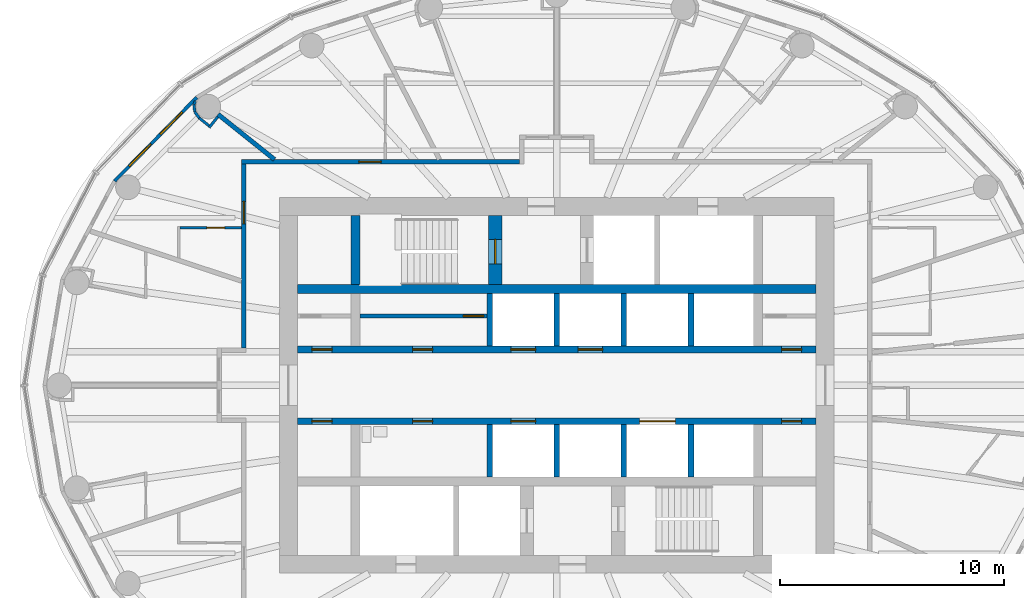
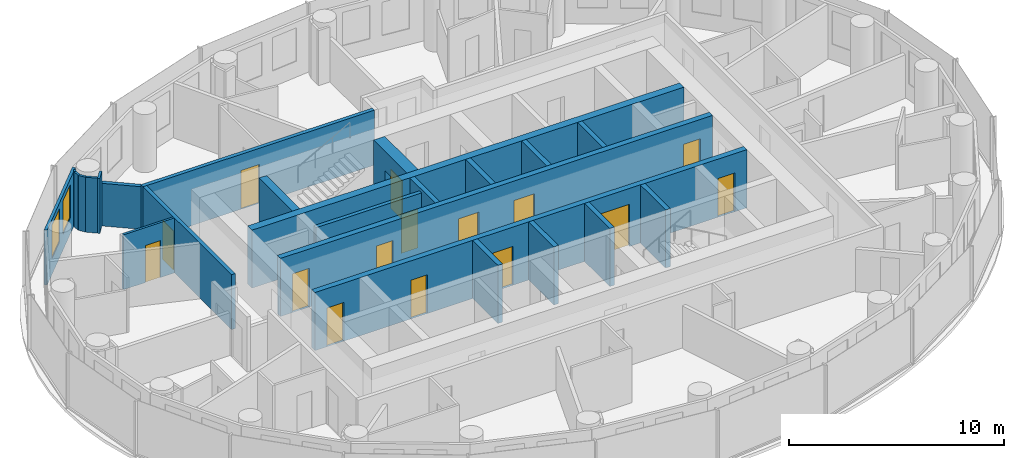
# One storey, part 9 of 16: 24 walls, 15 doors, 2 windows, 17 openings.
"""IFC4 building model written with IfcOpenShell, lengths in metres."""

from ifc_helpers import new_model, si_unit, direction, frame, frame_2d, origin, place, context, subcontext, project, spatial, rectangle, extrude, material, layer, layer_set, type_object, element, fill, save


model = new_model("IFC4")

# Units and contexts
model_context = context("Model", 3, precision=1e-05, world=origin(), true_north=direction((0.0, 1.0)))
body_context = subcontext(model_context, "Body", "Model", "MODEL_VIEW")
ifc_project = project(units=[si_unit("LENGTHUNIT", "METRE"), si_unit("AREAUNIT", "SQUARE_METRE"), si_unit("VOLUMEUNIT", "CUBIC_METRE"), si_unit("PLANEANGLEUNIT", "RADIAN"), si_unit("MASSUNIT", "GRAM", prefix="KILO")], contexts=[model_context])

# Site, building, storey
site_placement = place(None, origin())
site = spatial("IfcSite", under=ifc_project, at=site_placement, CompositionType="ELEMENT")
building_placement = place(site_placement, origin())
building = spatial("IfcBuilding", under=site, at=building_placement, Name="Hankou Lantern Tower", CompositionType="ELEMENT")
storey_placement = place(building_placement, frame((0.0, 0.0, 166.5)))
storey = spatial("IfcBuildingStorey", under=building, at=storey_placement, Name="L44", CompositionType="ELEMENT", Elevation=166.5)

# Walls
ifc_material_1 = material(Name="Concrete C60", Category="concrete")
ifc_layer_1 = layer(ifc_material_1, 0.39990234375)
ifc_layer_set_1 = layer_set([ifc_layer_1], Name="Concrete C60")
wall_type_1 = type_object("IfcWallType", Name="CW4 CORE CROSS WALL 400", PredefinedType="SHEAR", material=ifc_layer_set_1)
wall_1_placement = place(storey_placement, frame((-11.60009765625, 4.300048828125, 0.0), z_axis=(0.0, 0.0, 1.0), x_axis=(1.0, 0.0, 0.0)))
element("IfcWall", 1, at=wall_1_placement, inside=storey, type_object=wall_type_1, Name="Core band wall north L44", PredefinedType="SHEAR", context=body_context, shape_type="SweptSolid", body=[
    extrude(rectangle(XDim=23.2001953125, YDim=0.39990234375, at=frame_2d((11.60009765625, 0.0))), origin(), (0.0, 0.0, 1.0), 3.300048828125),
])
wall_2_placement = place(storey_placement, frame((-9.0, 4.5, 0.0), z_axis=(0.0, 0.0, 1.0), x_axis=(0.0, 1.0, 0.0)))
element("IfcWall", 2, at=wall_2_placement, inside=storey, type_object=wall_type_1, Name="Core strip wall L44", PredefinedType="SHEAR", context=body_context, shape_type="SweptSolid", body=[
    extrude(rectangle(XDim=3.10009765625, YDim=0.39990234375, at=frame_2d((1.550048828125, 0.0))), origin(), (0.0, 0.0, 1.0), 3.300048828125),
])

# Wall, openings, doors
ifc_material_2 = material(Name="Concrete C60", Category="concrete")
ifc_layer_2 = layer(ifc_material_2, 0.300048828125)
ifc_layer_set_2 = layer_set([ifc_layer_2], Name="Concrete C60")
wall_type_2 = type_object("IfcWallType", Name="CW5 LIFT LOBBY WALL 300", PredefinedType="SHEAR", material=ifc_layer_set_2)
wall_3_placement = place(storey_placement, frame((-11.60009765625, 1.60009765625, 0.0), z_axis=(0.0, 0.0, 1.0), x_axis=(1.0, 0.0, 0.0)))
wall_3 = element("IfcWall", 3, at=wall_3_placement, inside=storey, type_object=wall_type_2, Name="Lift lobby wall north L44", PredefinedType="SHEAR", context=body_context, shape_type="SweptSolid", body=[
    extrude(rectangle(XDim=23.2001953125, YDim=0.300048828125, at=frame_2d((11.60009765625, 0.0))), origin(), (0.0, 0.0, 1.0), 3.300048828125),
])
opening_1_placement = place(wall_3_placement, frame((9.550048828125, 0.0, 0.0)))
opening_1 = element("IfcOpeningElement", 4, at=opening_1_placement, cuts=wall_3, Name="Opening LD1", PredefinedType="OPENING", context=body_context, shape_type="SweptSolid", body=[
    extrude(rectangle(XDim=1.10009765625, YDim=2.199951171875, at=frame_2d((0.550048828125, 1.10009765625))), frame((0.0, 0.159912109375, 0.0), z_axis=(0.0, -1.0, 0.0), x_axis=(1.0, 0.0, 0.0)), (0.0, 0.0, 1.0), 0.320068359375),
])
opening_2_placement = place(wall_3_placement, frame((12.550048828125, 0.0, 0.0)))
opening_2 = element("IfcOpeningElement", 5, at=opening_2_placement, cuts=wall_3, Name="Opening LD1", PredefinedType="OPENING", context=body_context, shape_type="SweptSolid", body=[
    extrude(rectangle(XDim=1.10009765625, YDim=2.199951171875, at=frame_2d((0.550048828125, 1.10009765625))), frame((0.0, 0.159912109375, 0.0), z_axis=(0.0, -1.0, 0.0), x_axis=(1.0, 0.0, 0.0)), (0.0, 0.0, 1.0), 0.320068359375),
])
opening_3_placement = place(wall_3_placement, frame((0.64990234375, 0.0, 0.0)))
opening_3 = element("IfcOpeningElement", 6, at=opening_3_placement, cuts=wall_3, Name="Opening D30", PredefinedType="OPENING", context=body_context, shape_type="SweptSolid", body=[
    extrude(rectangle(XDim=0.89990234375, YDim=2.199951171875, at=frame_2d((0.449951171875, 1.10009765625))), frame((0.0, 0.159912109375, 0.0), z_axis=(0.0, -1.0, 0.0), x_axis=(1.0, 0.0, 0.0)), (0.0, 0.0, 1.0), 0.320068359375),
])
opening_4_placement = place(wall_3_placement, frame((5.14990234375, 0.0, 0.0)))
opening_4 = element("IfcOpeningElement", 7, at=opening_4_placement, cuts=wall_3, Name="Opening D30", PredefinedType="OPENING", context=body_context, shape_type="SweptSolid", body=[
    extrude(rectangle(XDim=0.89990234375, YDim=2.199951171875, at=frame_2d((0.449951171875, 1.10009765625))), frame((0.0, 0.159912109375, 0.0), z_axis=(0.0, -1.0, 0.0), x_axis=(1.0, 0.0, 0.0)), (0.0, 0.0, 1.0), 0.320068359375),
])
opening_5_placement = place(wall_3_placement, frame((21.64990234375, 0.0, 0.0)))
opening_5 = element("IfcOpeningElement", 8, at=opening_5_placement, cuts=wall_3, Name="Opening D30", PredefinedType="OPENING", context=body_context, shape_type="SweptSolid", body=[
    extrude(rectangle(XDim=0.89990234375, YDim=2.199951171875, at=frame_2d((0.449951171875, 1.10009765625))), frame((0.0, 0.159912109375, 0.0), z_axis=(0.0, -1.0, 0.0), x_axis=(1.0, 0.0, 0.0)), (0.0, 0.0, 1.0), 0.320068359375),
])
ifc_material_3 = material(Name="Steel door leaf", Category="steel")
door_type_1 = type_object("IfcDoorType", Name="D30 CORE ROOM DOOR 900X2200", OperationType="SINGLE_SWING_LEFT", PredefinedType="DOOR", material=ifc_material_3)
door_1_placement = place(opening_3_placement, origin())
door_1 = element("IfcDoor", 9, at=door_1_placement, inside=storey, type_object=door_type_1, Name="Guest pantry and ice room door", OperationType="SINGLE_SWING_LEFT", OverallHeight=2.199951171875, OverallWidth=0.89990234375, PredefinedType="DOOR", context=body_context, shape_type="SweptSolid", body=[
    extrude(rectangle(XDim=0.89990234375, YDim=2.199951171875, at=frame_2d((0.449951171875, 1.10009765625))), frame((0.0, 0.02490234375, 0.0), z_axis=(0.0, -1.0, 0.0), x_axis=(1.0, 0.0, 0.0)), (0.0, 0.0, 1.0), 0.050048828125),
])
fill(opening_3, door_1)
door_2_placement = place(opening_4_placement, origin())
door_2 = element("IfcDoor", 10, at=door_2_placement, inside=storey, type_object=door_type_1, Name="Vending room door", OperationType="SINGLE_SWING_LEFT", OverallHeight=2.199951171875, OverallWidth=0.89990234375, PredefinedType="DOOR", context=body_context, shape_type="SweptSolid", body=[
    extrude(rectangle(XDim=0.89990234375, YDim=2.199951171875, at=frame_2d((0.449951171875, 1.10009765625))), frame((0.0, 0.02490234375, 0.0), z_axis=(0.0, -1.0, 0.0), x_axis=(1.0, 0.0, 0.0)), (0.0, 0.0, 1.0), 0.050048828125),
])
fill(opening_4, door_2)
door_3_placement = place(opening_5_placement, origin())
door_3 = element("IfcDoor", 11, at=door_3_placement, inside=storey, type_object=door_type_1, Name="Staff locker room door", OperationType="SINGLE_SWING_RIGHT", OverallHeight=2.199951171875, OverallWidth=0.89990234375, PredefinedType="DOOR", context=body_context, shape_type="SweptSolid", body=[
    extrude(rectangle(XDim=0.89990234375, YDim=2.199951171875, at=frame_2d((0.449951171875, 1.10009765625))), frame((0.0, 0.02490234375, 0.0), z_axis=(0.0, -1.0, 0.0), x_axis=(1.0, 0.0, 0.0)), (0.0, 0.0, 1.0), 0.050048828125),
])
fill(opening_5, door_3)
ifc_material_4 = material(Name="Steel door leaf", Category="steel")
door_type_2 = type_object("IfcDoorType", Name="LD1 LIFT LANDING DOOR 1100X2200", OperationType="DOUBLE_DOOR_SLIDING", PredefinedType="DOOR", material=ifc_material_4)
door_4_placement = place(opening_1_placement, origin())
door_4 = element("IfcDoor", 12, at=door_4_placement, inside=storey, type_object=door_type_2, Name="Lift H1 landing door", OperationType="DOUBLE_DOOR_SLIDING", OverallHeight=2.199951171875, OverallWidth=1.10009765625, PredefinedType="DOOR", context=body_context, shape_type="SweptSolid", body=[
    extrude(rectangle(XDim=1.10009765625, YDim=2.199951171875, at=frame_2d((0.550048828125, 1.10009765625))), frame((0.0, 0.02490234375, 0.0), z_axis=(0.0, -1.0, 0.0), x_axis=(1.0, 0.0, 0.0)), (0.0, 0.0, 1.0), 0.050048828125),
])
fill(opening_1, door_4)
door_5_placement = place(opening_2_placement, origin())
door_5 = element("IfcDoor", 13, at=door_5_placement, inside=storey, type_object=door_type_2, Name="Lift H2 landing door", OperationType="DOUBLE_DOOR_SLIDING", OverallHeight=2.199951171875, OverallWidth=1.10009765625, PredefinedType="DOOR", context=body_context, shape_type="SweptSolid", body=[
    extrude(rectangle(XDim=1.10009765625, YDim=2.199951171875, at=frame_2d((0.550048828125, 1.10009765625))), frame((0.0, 0.02490234375, 0.0), z_axis=(0.0, -1.0, 0.0), x_axis=(1.0, 0.0, 0.0)), (0.0, 0.0, 1.0), 0.050048828125),
])
fill(opening_2, door_5)

wall_4_placement = place(storey_placement, frame((-11.60009765625, -1.60009765625, 0.0), z_axis=(0.0, 0.0, 1.0), x_axis=(1.0, 0.0, 0.0)))
wall_4 = element("IfcWall", 14, at=wall_4_placement, inside=storey, type_object=wall_type_2, Name="Lift lobby wall south L44", PredefinedType="SHEAR", context=body_context, shape_type="SweptSolid", body=[
    extrude(rectangle(XDim=23.2001953125, YDim=0.300048828125, at=frame_2d((11.60009765625, 0.0))), origin(), (0.0, 0.0, 1.0), 3.300048828125),
])
opening_6_placement = place(wall_4_placement, frame((9.550048828125, 0.0, 0.0)))
opening_6 = element("IfcOpeningElement", 15, at=opening_6_placement, cuts=wall_4, Name="Opening LD1", PredefinedType="OPENING", context=body_context, shape_type="SweptSolid", body=[
    extrude(rectangle(XDim=1.10009765625, YDim=2.199951171875, at=frame_2d((0.550048828125, 1.10009765625))), frame((0.0, 0.159912109375, 0.0), z_axis=(0.0, -1.0, 0.0), x_axis=(1.0, 0.0, 0.0)), (0.0, 0.0, 1.0), 0.320068359375),
])
opening_7_placement = place(wall_4_placement, frame((15.300048828125, 0.0, 0.0)))
opening_7 = element("IfcOpeningElement", 16, at=opening_7_placement, cuts=wall_4, Name="Opening LD4", PredefinedType="OPENING", context=body_context, shape_type="SweptSolid", body=[
    extrude(rectangle(XDim=1.60009765625, YDim=2.39990234375, at=frame_2d((0.800048828125, 1.199951171875))), frame((0.0, 0.159912109375, 0.0), z_axis=(0.0, -1.0, 0.0), x_axis=(1.0, 0.0, 0.0)), (0.0, 0.0, 1.0), 0.320068359375),
])
opening_8_placement = place(wall_4_placement, frame((0.64990234375, 0.0, 0.0)))
opening_8 = element("IfcOpeningElement", 17, at=opening_8_placement, cuts=wall_4, Name="Opening D30", PredefinedType="OPENING", context=body_context, shape_type="SweptSolid", body=[
    extrude(rectangle(XDim=0.89990234375, YDim=2.199951171875, at=frame_2d((0.449951171875, 1.10009765625))), frame((0.0, 0.159912109375, 0.0), z_axis=(0.0, -1.0, 0.0), x_axis=(1.0, 0.0, 0.0)), (0.0, 0.0, 1.0), 0.320068359375),
])
opening_9_placement = place(wall_4_placement, frame((5.14990234375, 0.0, 0.0)))
opening_9 = element("IfcOpeningElement", 18, at=opening_9_placement, cuts=wall_4, Name="Opening D30", PredefinedType="OPENING", context=body_context, shape_type="SweptSolid", body=[
    extrude(rectangle(XDim=0.89990234375, YDim=2.199951171875, at=frame_2d((0.449951171875, 1.10009765625))), frame((0.0, 0.159912109375, 0.0), z_axis=(0.0, -1.0, 0.0), x_axis=(1.0, 0.0, 0.0)), (0.0, 0.0, 1.0), 0.320068359375),
])
opening_10_placement = place(wall_4_placement, frame((21.64990234375, 0.0, 0.0)))
opening_10 = element("IfcOpeningElement", 19, at=opening_10_placement, cuts=wall_4, Name="Opening D30", PredefinedType="OPENING", context=body_context, shape_type="SweptSolid", body=[
    extrude(rectangle(XDim=0.89990234375, YDim=2.199951171875, at=frame_2d((0.449951171875, 1.10009765625))), frame((0.0, 0.159912109375, 0.0), z_axis=(0.0, -1.0, 0.0), x_axis=(1.0, 0.0, 0.0)), (0.0, 0.0, 1.0), 0.320068359375),
])
door_6_placement = place(opening_8_placement, origin())
door_6 = element("IfcDoor", 20, at=door_6_placement, inside=storey, type_object=door_type_1, Name="Room service pantry door", OperationType="SINGLE_SWING_LEFT", OverallHeight=2.199951171875, OverallWidth=0.89990234375, PredefinedType="DOOR", context=body_context, shape_type="SweptSolid", body=[
    extrude(rectangle(XDim=0.89990234375, YDim=2.199951171875, at=frame_2d((0.449951171875, 1.10009765625))), frame((0.0, 0.02490234375, 0.0), z_axis=(0.0, -1.0, 0.0), x_axis=(1.0, 0.0, 0.0)), (0.0, 0.0, 1.0), 0.050048828125),
])
fill(opening_8, door_6)
door_7_placement = place(opening_9_placement, origin())
door_7 = element("IfcDoor", 21, at=door_7_placement, inside=storey, type_object=door_type_1, Name="Accessible staff WC door", OperationType="SINGLE_SWING_LEFT", OverallHeight=2.199951171875, OverallWidth=0.89990234375, PredefinedType="DOOR", context=body_context, shape_type="SweptSolid", body=[
    extrude(rectangle(XDim=0.89990234375, YDim=2.199951171875, at=frame_2d((0.449951171875, 1.10009765625))), frame((0.0, 0.02490234375, 0.0), z_axis=(0.0, -1.0, 0.0), x_axis=(1.0, 0.0, 0.0)), (0.0, 0.0, 1.0), 0.050048828125),
])
fill(opening_9, door_7)
door_8_placement = place(opening_10_placement, origin())
door_8 = element("IfcDoor", 22, at=door_8_placement, inside=storey, type_object=door_type_1, Name="Housekeeping and linen store door", OperationType="SINGLE_SWING_RIGHT", OverallHeight=2.199951171875, OverallWidth=0.89990234375, PredefinedType="DOOR", context=body_context, shape_type="SweptSolid", body=[
    extrude(rectangle(XDim=0.89990234375, YDim=2.199951171875, at=frame_2d((0.449951171875, 1.10009765625))), frame((0.0, 0.02490234375, 0.0), z_axis=(0.0, -1.0, 0.0), x_axis=(1.0, 0.0, 0.0)), (0.0, 0.0, 1.0), 0.050048828125),
])
fill(opening_10, door_8)
door_9_placement = place(opening_6_placement, origin())
door_9 = element("IfcDoor", 23, at=door_9_placement, inside=storey, type_object=door_type_2, Name="Lift H3 landing door", OperationType="DOUBLE_DOOR_SLIDING", OverallHeight=2.199951171875, OverallWidth=1.10009765625, PredefinedType="DOOR", context=body_context, shape_type="SweptSolid", body=[
    extrude(rectangle(XDim=1.10009765625, YDim=2.199951171875, at=frame_2d((0.550048828125, 1.10009765625))), frame((0.0, 0.02490234375, 0.0), z_axis=(0.0, -1.0, 0.0), x_axis=(1.0, 0.0, 0.0)), (0.0, 0.0, 1.0), 0.050048828125),
])
fill(opening_6, door_9)
ifc_material_5 = material(Name="Steel door leaf", Category="steel")
door_type_3 = type_object("IfcDoorType", Name="LD4 SERVICE LIFT LANDING DOOR 1600X2400", OperationType="DOUBLE_DOOR_SLIDING", PredefinedType="DOOR", material=ifc_material_5)
door_10_placement = place(opening_7_placement, origin())
door_10 = element("IfcDoor", 24, at=door_10_placement, inside=storey, type_object=door_type_3, Name="Lift SV1 landing door", OperationType="DOUBLE_DOOR_SLIDING", OverallHeight=2.39990234375, OverallWidth=1.60009765625, PredefinedType="DOOR", context=body_context, shape_type="SweptSolid", body=[
    extrude(rectangle(XDim=1.60009765625, YDim=2.39990234375, at=frame_2d((0.800048828125, 1.199951171875))), frame((0.0, 0.02490234375, 0.0), z_axis=(0.0, -1.0, 0.0), x_axis=(1.0, 0.0, 0.0)), (0.0, 0.0, 1.0), 0.050048828125),
])
fill(opening_7, door_10)

# Wall, opening, door
ifc_material_6 = material(Name="Concrete C60", Category="concrete")
ifc_layer_3 = layer(ifc_material_6, 0.60009765625)
ifc_layer_set_3 = layer_set([ifc_layer_3], Name="Concrete C60")
wall_type_3 = type_object("IfcWallType", Name="CW6 STAIR AND SHAFT WALL 600", PredefinedType="SHEAR", material=ifc_layer_set_3)
wall_5_placement = place(storey_placement, frame((-2.75, 4.5, 0.0), z_axis=(0.0, 0.0, 1.0), x_axis=(0.0, 1.0, 0.0)))
wall_5 = element("IfcWall", 25, at=wall_5_placement, inside=storey, type_object=wall_type_3, Name="Stair wall L44", PredefinedType="SHEAR", context=body_context, shape_type="SweptSolid", body=[
    extrude(rectangle(XDim=3.10009765625, YDim=0.60009765625, at=frame_2d((1.550048828125, 0.0))), origin(), (0.0, 0.0, 1.0), 3.300048828125),
])
opening_11_placement = place(wall_5_placement, frame((0.925048828125, 0.0, 0.0)))
opening_11 = element("IfcOpeningElement", 26, at=opening_11_placement, cuts=wall_5, Name="Opening D4", PredefinedType="OPENING", context=body_context, shape_type="SweptSolid", body=[
    extrude(rectangle(XDim=1.10009765625, YDim=2.199951171875, at=frame_2d((0.550048828125, 1.10009765625))), frame((0.0, 0.31005859375, 0.0), z_axis=(0.0, -1.0, 0.0), x_axis=(1.0, 0.0, 0.0)), (0.0, 0.0, 1.0), 0.6201171875),
])
ifc_material_7 = material(Name="Steel door leaf", Category="steel")
door_type_4 = type_object("IfcDoorType", Name="D4 STAIR DOOR 1100X2200", OperationType="SINGLE_SWING_LEFT", PredefinedType="DOOR", material=ifc_material_7)
door_11_placement = place(opening_11_placement, origin())
door_11 = element("IfcDoor", 27, at=door_11_placement, inside=storey, type_object=door_type_4, Name="Stair A door", OperationType="SINGLE_SWING_LEFT", OverallHeight=2.199951171875, OverallWidth=1.10009765625, PredefinedType="DOOR", context=body_context, shape_type="SweptSolid", body=[
    extrude(rectangle(XDim=1.10009765625, YDim=2.199951171875, at=frame_2d((0.550048828125, 1.10009765625))), frame((0.0, 0.02490234375, 0.0), z_axis=(0.0, -1.0, 0.0), x_axis=(1.0, 0.0, 0.0)), (0.0, 0.0, 1.0), 0.050048828125),
])
fill(opening_11, door_11)

# Wall, openings, windows
ifc_material_8 = material(Name="Aluminium spandrel panel on steel studs", Category="steel")
ifc_layer_4 = layer(ifc_material_8, 0.14990234375)
ifc_layer_set_4 = layer_set([ifc_layer_4], Name="Aluminium spandrel panel on steel studs")
wall_type_4 = type_object("IfcWallType", Name="EW1 INNER SKIN WALL 150", PredefinedType="ELEMENTEDWALL", material=ifc_layer_set_4)
wall_6_placement = place(storey_placement, frame((-16.0947265625, 12.875732421875, 0.0), z_axis=(0.0, 0.0, 1.0), x_axis=(-0.700727467776, -0.71342905457, 0.0)))
wall_6 = element("IfcWall", 28, at=wall_6_placement, inside=storey, type_object=wall_type_4, Name="Inner skin R10-R11 L44", PredefinedType="ELEMENTEDWALL", context=body_context, shape_type="SweptSolid", body=[
    extrude(rectangle(XDim=5.247314453125, YDim=0.14990234375, at=frame_2d((2.62353515625, 0.0))), origin(), (0.0, 0.0, 1.0), 3.1201171875),
])
opening_12_placement = place(wall_6_placement, frame((0.923583984375, 0.0, 0.89990234375)))
opening_12 = element("IfcOpeningElement", 29, at=opening_12_placement, cuts=wall_6, Name="Opening W3", PredefinedType="OPENING", context=body_context, shape_type="SweptSolid", body=[
    extrude(rectangle(XDim=1.39990234375, YDim=1.89990234375, at=frame_2d((0.699951171875, 0.949951171875))), frame((0.0, 0.0849609375, 0.0), z_axis=(0.0, -1.0, 0.0), x_axis=(1.0, 0.0, 0.0)), (0.0, 0.0, 1.0), 0.169921875),
])
opening_13_placement = place(wall_6_placement, frame((2.923583984375, 0.0, 0.89990234375)))
opening_13 = element("IfcOpeningElement", 30, at=opening_13_placement, cuts=wall_6, Name="Opening W3", PredefinedType="OPENING", context=body_context, shape_type="SweptSolid", body=[
    extrude(rectangle(XDim=1.39990234375, YDim=1.89990234375, at=frame_2d((0.699951171875, 0.949951171875))), frame((0.0, 0.0849609375, 0.0), z_axis=(0.0, -1.0, 0.0), x_axis=(1.0, 0.0, 0.0)), (0.0, 0.0, 1.0), 0.169921875),
])
ifc_material_9 = material(Name="Aluminium framed double glazed window", Category="aluminium")
window_type = type_object("IfcWindowType", Name="W3 GUEST ROOM WINDOW 1400X1900", PartitioningType="DOUBLE_PANEL_VERTICAL", PredefinedType="WINDOW", material=ifc_material_9)
window_1_placement = place(opening_12_placement, origin())
window_1 = element("IfcWindow", 31, at=window_1_placement, inside=storey, type_object=window_type, Name="Window R10.1 L44", OverallHeight=1.89990234375, OverallWidth=1.39990234375, PartitioningType="SINGLE_PANEL", PredefinedType="WINDOW", context=body_context, shape_type="SweptSolid", body=[
    extrude(rectangle(XDim=1.39990234375, YDim=1.89990234375, at=frame_2d((0.699951171875, 0.949951171875))), frame((0.0, 0.030029296875, 0.0), z_axis=(0.0, -1.0, 0.0), x_axis=(1.0, 0.0, 0.0)), (0.0, 0.0, 1.0), 0.06005859375),
])
fill(opening_12, window_1)
window_2_placement = place(opening_13_placement, origin())
window_2 = element("IfcWindow", 32, at=window_2_placement, inside=storey, type_object=window_type, Name="Window R10.2 L44", OverallHeight=1.89990234375, OverallWidth=1.39990234375, PartitioningType="SINGLE_PANEL", PredefinedType="WINDOW", context=body_context, shape_type="SweptSolid", body=[
    extrude(rectangle(XDim=1.39990234375, YDim=1.89990234375, at=frame_2d((0.699951171875, 0.949951171875))), frame((0.0, 0.030029296875, 0.0), z_axis=(0.0, -1.0, 0.0), x_axis=(1.0, 0.0, 0.0)), (0.0, 0.0, 1.0), 0.06005859375),
])
fill(opening_13, window_2)

# Wall
ifc_material_10 = material(Name="Masonry lightweight concrete block", Category="masonry")
ifc_layer_5 = layer(ifc_material_10, 0.199951171875)
ifc_layer_set_5 = layer_set([ifc_layer_5], Name="Masonry lightweight concrete block")
wall_type_5 = type_object("IfcWallType", Name="IW1 GUEST ROOM PARTY WALL 200", PredefinedType="PARTITIONING", material=ifc_layer_set_5)
wall_7_placement = place(storey_placement, frame((-12.625, 10.10009765625, 0.0), z_axis=(0.0, 0.0, 1.0), x_axis=(-0.780876185034, 0.624685827954, 0.0)))
element("IfcWall", 33, at=wall_7_placement, inside=storey, type_object=wall_type_5, Name="Party wall R10", PredefinedType="PARTITIONING", context=body_context, shape_type="SweptSolid", body=[
    extrude(rectangle(XDim=3.229248046875, YDim=0.199951171875, at=frame_2d((1.61474609375, 0.0))), origin(), (0.0, 0.0, 1.0), 2.419921875),
])

# Wall, opening, door
ifc_material_11 = material(Name="Masonry lightweight concrete block", Category="masonry")
ifc_layer_6 = layer(ifc_material_11, 0.199951171875)
ifc_layer_set_6 = layer_set([ifc_layer_6], Name="Masonry lightweight concrete block")
wall_type_6 = type_object("IfcWallType", Name="IW2 CORRIDOR WALL 200", PredefinedType="PARTITIONING", material=ifc_layer_set_6)
wall_8_placement = place(storey_placement, frame((-14.10009765625, 10.0, 0.0), z_axis=(0.0, 0.0, 1.0), x_axis=(1.0, 0.0, 0.0)))
wall_8 = element("IfcWall", 34, at=wall_8_placement, inside=storey, type_object=wall_type_6, Name="Corridor wall north", PredefinedType="PARTITIONING", context=body_context, shape_type="SweptSolid", body=[
    extrude(rectangle(XDim=12.43017578125, YDim=0.199951171875, at=frame_2d((6.215087890625, 0.0))), origin(), (0.0, 0.0, 1.0), 3.1201171875),
])
opening_14_placement = place(wall_8_placement, frame((5.25, 0.0, 0.0)))
opening_14 = element("IfcOpeningElement", 35, at=opening_14_placement, cuts=wall_8, Name="Opening D1", PredefinedType="OPENING", context=body_context, shape_type="SweptSolid", body=[
    extrude(rectangle(XDim=1.0, YDim=2.199951171875, at=frame_2d((0.5, 1.10009765625))), frame((0.0, 0.10986328125, 0.0), z_axis=(0.0, -1.0, 0.0), x_axis=(1.0, 0.0, 0.0)), (0.0, 0.0, 1.0), 0.219970703125),
])
ifc_material_12 = material(Name="Steel door leaf", Category="steel")
door_type_5 = type_object("IfcDoorType", Name="D1 GUEST ROOM DOOR 1000X2200", OperationType="SINGLE_SWING_LEFT", PredefinedType="DOOR", material=ifc_material_12)
door_12_placement = place(opening_14_placement, origin())
door_12 = element("IfcDoor", 36, at=door_12_placement, inside=storey, type_object=door_type_5, Name="Guest room door 4410", OperationType="SINGLE_SWING_RIGHT", OverallHeight=2.199951171875, OverallWidth=1.0, PredefinedType="DOOR", context=body_context, shape_type="SweptSolid", body=[
    extrude(rectangle(XDim=1.0, YDim=2.199951171875, at=frame_2d((0.5, 1.10009765625))), frame((0.0, 0.02490234375, 0.0), z_axis=(0.0, -1.0, 0.0), x_axis=(1.0, 0.0, 0.0)), (0.0, 0.0, 1.0), 0.050048828125),
])
fill(opening_14, door_12)

wall_9_placement = place(storey_placement, frame((-14.0, 9.89990234375, 0.0), z_axis=(0.0, 0.0, 1.0), x_axis=(0.0, -1.0, 0.0)))
wall_9 = element("IfcWall", 37, at=wall_9_placement, inside=storey, type_object=wall_type_6, Name="Corridor wall west", PredefinedType="PARTITIONING", context=body_context, shape_type="SweptSolid", body=[
    extrude(rectangle(XDim=8.22998046875, YDim=0.199951171875, at=frame_2d((4.114990234375, 0.0))), origin(), (0.0, 0.0, 1.0), 3.1201171875),
])
opening_15_placement = place(wall_9_placement, frame((1.678466796875, 0.0, 0.0)))
opening_15 = element("IfcOpeningElement", 38, at=opening_15_placement, cuts=wall_9, Name="Opening D1", PredefinedType="OPENING", context=body_context, shape_type="SweptSolid", body=[
    extrude(rectangle(XDim=1.0, YDim=2.199951171875, at=frame_2d((0.5, 1.10009765625))), frame((0.0, 0.10986328125, 0.0), z_axis=(0.0, -1.0, 0.0), x_axis=(1.0, 0.0, 0.0)), (0.0, 0.0, 1.0), 0.219970703125),
])
door_13_placement = place(opening_15_placement, origin())
door_13 = element("IfcDoor", 39, at=door_13_placement, inside=storey, type_object=door_type_5, Name="Guest room door 4411", OperationType="SINGLE_SWING_LEFT", OverallHeight=2.199951171875, OverallWidth=1.0, PredefinedType="DOOR", context=body_context, shape_type="SweptSolid", body=[
    extrude(rectangle(XDim=1.0, YDim=2.199951171875, at=frame_2d((0.5, 1.10009765625))), frame((0.0, 0.02490234375, 0.0), z_axis=(0.0, -1.0, 0.0), x_axis=(1.0, 0.0, 0.0)), (0.0, 0.0, 1.0), 0.050048828125),
])
fill(opening_15, door_13)

ifc_material_13 = material(Name="Masonry lightweight concrete block", Category="masonry")
ifc_layer_7 = layer(ifc_material_13, 0.1201171875)
ifc_layer_set_7 = layer_set([ifc_layer_7], Name="Masonry lightweight concrete block")
wall_type_7 = type_object("IfcWallType", Name="IW3 BATHROOM WALL 120", PredefinedType="PARTITIONING", material=ifc_layer_set_7)
wall_10_placement = place(storey_placement, frame((-14.10009765625, 7.04150390625, 0.0), z_axis=(0.0, 0.0, 1.0), x_axis=(-1.0, 0.0, 0.0)))
wall_10 = element("IfcWall", 40, at=wall_10_placement, inside=storey, type_object=wall_type_7, Name="Box wall 4411 1", PredefinedType="PARTITIONING", context=body_context, shape_type="SweptSolid", body=[
    extrude(rectangle(XDim=2.739990234375, YDim=0.1201171875, at=frame_2d((1.3701171875, 0.0))), origin(), (0.0, 0.0, 1.0), 3.1201171875),
])
opening_16_placement = place(wall_10_placement, frame((0.75, 0.0, 0.0)))
opening_16 = element("IfcOpeningElement", 41, at=opening_16_placement, cuts=wall_10, Name="Opening D3", PredefinedType="OPENING", context=body_context, shape_type="SweptSolid", body=[
    extrude(rectangle(XDim=0.800048828125, YDim=2.10009765625, at=frame_2d((0.39990234375, 1.050048828125))), frame((0.0, 0.070068359375, 0.0), z_axis=(0.0, -1.0, 0.0), x_axis=(1.0, 0.0, 0.0)), (0.0, 0.0, 1.0), 0.14013671875),
])
ifc_material_14 = material(Name="Timber door leaf", Category="wood")
door_type_6 = type_object("IfcDoorType", Name="D3 BATHROOM DOOR 800X2100", OperationType="SINGLE_SWING_LEFT", PredefinedType="DOOR", material=ifc_material_14)
door_14_placement = place(opening_16_placement, origin())
door_14 = element("IfcDoor", 42, at=door_14_placement, inside=storey, type_object=door_type_6, Name="En-suite bathroom 4411 door", OperationType="SINGLE_SWING_LEFT", OverallHeight=2.10009765625, OverallWidth=0.800048828125, PredefinedType="DOOR", context=body_context, shape_type="SweptSolid", body=[
    extrude(rectangle(XDim=0.800048828125, YDim=2.10009765625, at=frame_2d((0.39990234375, 1.050048828125))), frame((0.0, 0.02490234375, 0.0), z_axis=(0.0, -1.0, 0.0), x_axis=(1.0, 0.0, 0.0)), (0.0, 0.0, 1.0), 0.050048828125),
])
fill(opening_16, door_14)

# Walls
ifc_material_15 = material(Name="Masonry lightweight concrete block", Category="masonry")
ifc_layer_8 = layer(ifc_material_15, 0.1201171875)
ifc_layer_set_8 = layer_set([ifc_layer_8], Name="Masonry lightweight concrete block")
wall_type_8 = type_object("IfcWallType", Name="IW4 PARTITION 120", PredefinedType="PARTITIONING", material=ifc_layer_set_8)
wall_11_placement = place(storey_placement, frame((-15.162353515625, 12.001708984375, 0.0), z_axis=(0.0, 0.0, 1.0), x_axis=(-0.624597762427, -0.780946627607, 0.0)))
element("IfcWall", 43, at=wall_11_placement, inside=storey, type_object=wall_type_8, Name="Column casing R10 return", PredefinedType="PARTITIONING", context=body_context, shape_type="SweptSolid", body=[
    extrude(rectangle(XDim=0.612060546875, YDim=0.1201171875, at=frame_2d((0.30615234375, 0.0))), origin(), (0.0, 0.0, 1.0), 3.1201171875),
])
wall_12_placement = place(storey_placement, frame((-15.55419921875, 11.60791015625, 0.0), z_axis=(0.0, 0.0, 1.0), x_axis=(-0.780695577787, 0.624911525597, 0.0)))
element("IfcWall", 44, at=wall_12_placement, inside=storey, type_object=wall_type_8, Name="Column casing R10", PredefinedType="PARTITIONING", context=body_context, shape_type="SweptSolid", body=[
    extrude(rectangle(XDim=0.550048828125, YDim=0.1201171875, at=frame_2d((0.27490234375, 0.0))), origin(), (0.0, 0.0, 1.0), 3.1201171875),
])
wall_13_placement = place(storey_placement, frame((-15.983642578125, 11.95166015625, 0.0), z_axis=(0.0, 0.0, 1.0), x_axis=(-0.592335221171, 0.805691619517, 0.0)))
element("IfcWall", 45, at=wall_13_placement, inside=storey, type_object=wall_type_8, Name="Column casing R10", PredefinedType="PARTITIONING", context=body_context, shape_type="SweptSolid", body=[
    extrude(rectangle(XDim=0.337646484375, YDim=0.1201171875, at=frame_2d((0.1689453125, 0.0))), origin(), (0.0, 0.0, 1.0), 3.1201171875),
])
wall_14_placement = place(storey_placement, frame((-16.18359375, 12.2236328125, 0.0), z_axis=(0.0, 0.0, 1.0), x_axis=(-0.110669692975, 0.993857242795, 0.0)))
element("IfcWall", 46, at=wall_14_placement, inside=storey, type_object=wall_type_8, Name="Column casing R10", PredefinedType="PARTITIONING", context=body_context, shape_type="SweptSolid", body=[
    extrude(rectangle(XDim=0.33740234375, YDim=0.1201171875, at=frame_2d((0.168701171875, 0.0))), origin(), (0.0, 0.0, 1.0), 3.1201171875),
])
wall_15_placement = place(storey_placement, frame((-16.220947265625, 12.55908203125, 0.0), z_axis=(0.0, 0.0, 1.0), x_axis=(0.401064416249, 0.916049853457, 0.0)))
element("IfcWall", 47, at=wall_15_placement, inside=storey, type_object=wall_type_8, Name="Column casing R10", PredefinedType="PARTITIONING", context=body_context, shape_type="SweptSolid", body=[
    extrude(rectangle(XDim=0.156494140625, YDim=0.1201171875, at=frame_2d((0.078125, 0.0))), origin(), (0.0, 0.0, 1.0), 3.1201171875),
])

# Wall, opening, door
ifc_material_16 = material(Name="Masonry lightweight concrete block", Category="masonry")
ifc_layer_9 = layer(ifc_material_16, 0.199951171875)
ifc_layer_set_9 = layer_set([ifc_layer_9], Name="Masonry lightweight concrete block")
wall_type_9 = type_object("IfcWallType", Name="IW8 PARTITION 200", PredefinedType="PARTITIONING", material=ifc_layer_set_9)
wall_16_placement = place(storey_placement, frame((-8.800048828125, 3.10009765625, 0.0), z_axis=(0.0, 0.0, 1.0), x_axis=(1.0, 0.0, 0.0)))
wall_16 = element("IfcWall", 48, at=wall_16_placement, inside=storey, type_object=wall_type_9, Name="Partition vending room", PredefinedType="PARTITIONING", context=body_context, shape_type="SweptSolid", body=[
    extrude(rectangle(XDim=5.675048828125, YDim=0.199951171875, at=frame_2d((2.83740234375, 0.0))), origin(), (0.0, 0.0, 1.0), 3.1201171875),
])
opening_17_placement = place(wall_16_placement, frame((4.625, 0.0, 0.0)))
opening_17 = element("IfcOpeningElement", 49, at=opening_17_placement, cuts=wall_16, Name="Opening D12", PredefinedType="OPENING", context=body_context, shape_type="SweptSolid", body=[
    extrude(rectangle(XDim=0.89990234375, YDim=2.199951171875, at=frame_2d((0.449951171875, 1.10009765625))), frame((0.0, 0.10986328125, 0.0), z_axis=(0.0, -1.0, 0.0), x_axis=(1.0, 0.0, 0.0)), (0.0, 0.0, 1.0), 0.219970703125),
])
ifc_material_17 = material(Name="Steel door leaf", Category="steel")
door_type_7 = type_object("IfcDoorType", Name="D12 STORE DOOR 900X2200", OperationType="SINGLE_SWING_LEFT", PredefinedType="DOOR", material=ifc_material_17)
door_15_placement = place(opening_17_placement, origin())
door_15 = element("IfcDoor", 50, at=door_15_placement, inside=storey, type_object=door_type_7, Name="Vending stock cupboard door", OperationType="SINGLE_SWING_RIGHT", OverallHeight=2.199951171875, OverallWidth=0.89990234375, PredefinedType="DOOR", context=body_context, shape_type="SweptSolid", body=[
    extrude(rectangle(XDim=0.89990234375, YDim=2.199951171875, at=frame_2d((0.449951171875, 1.10009765625))), frame((0.0, 0.02490234375, 0.0), z_axis=(0.0, -1.0, 0.0), x_axis=(1.0, 0.0, 0.0)), (0.0, 0.0, 1.0), 0.050048828125),
])
fill(opening_17, door_15)

# Walls
ifc_material_18 = material(Name="Masonry autoclaved aerated concrete block", Category="masonry")
ifc_layer_10 = layer(ifc_material_18, 0.25)
ifc_layer_set_10 = layer_set([ifc_layer_10], Name="Masonry autoclaved aerated concrete block")
wall_type_10 = type_object("IfcWallType", Name="SW1 SHAFT BLOCK WALL 250", PredefinedType="PARTITIONING", material=ifc_layer_set_10)
for number, where, z_axis, x_axis, name in (
    (51, (-3.0, 1.75, 0.0), (0.0, 0.0, 1.0), (0.0, 1.0, 0.0), "Lift shaft wall L44"),
    (52, (0.0, 1.75, 0.0), (0.0, 0.0, 1.0), (0.0, 1.0, 0.0), "Lift shaft wall L44"),
    (53, (3.0, 1.75, 0.0), (0.0, 0.0, 1.0), (0.0, 1.0, 0.0), "Lift shaft wall L44"),
    (54, (6.0, 1.75, 0.0), (0.0, 0.0, 1.0), (0.0, 1.0, 0.0), "Lift shaft wall L44"),
    (55, (-3.0, -4.10009765625, 0.0), (0.0, 0.0, 1.0), (0.0, 1.0, 0.0), "Lift shaft wall L44"),
    (56, (0.0, -4.10009765625, 0.0), (0.0, 0.0, 1.0), (0.0, 1.0, 0.0), "Lift shaft wall L44"),
    (57, (3.0, -4.10009765625, 0.0), (0.0, 0.0, 1.0), (0.0, 1.0, 0.0), "Lift shaft wall L44"),
    (58, (6.0, -4.10009765625, 0.0), (0.0, 0.0, 1.0), (0.0, 1.0, 0.0), "Lift shaft wall L44"),
):
    element("IfcWall", number, at=place(storey_placement, frame(where, z_axis=z_axis, x_axis=x_axis)), inside=storey, type_object=wall_type_10, Name=name, PredefinedType="PARTITIONING", context=body_context, shape_type="SweptSolid", body=[
        extrude(rectangle(XDim=2.35009765625, YDim=0.25, at=frame_2d((1.175048828125, 0.0))), origin(), (0.0, 0.0, 1.0), 3.300048828125),
    ])

save(model, "model.ifc")
